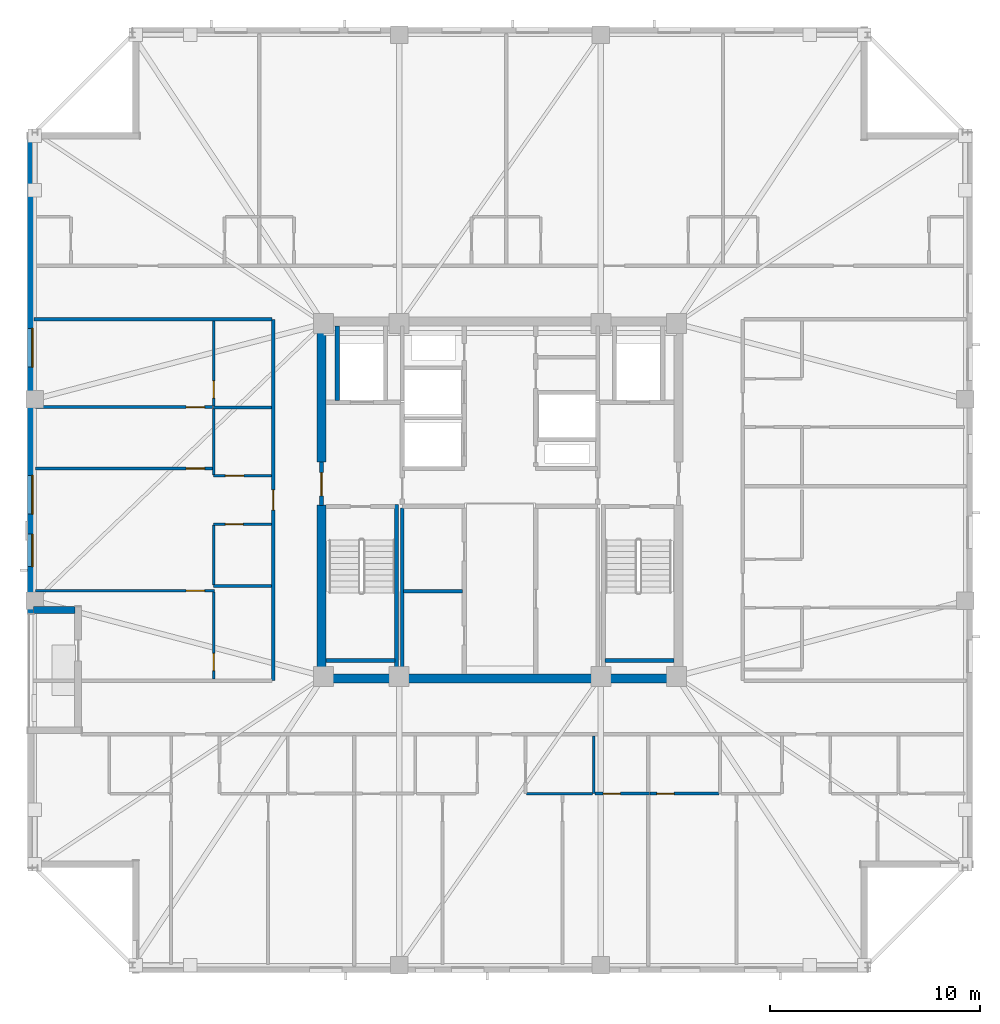
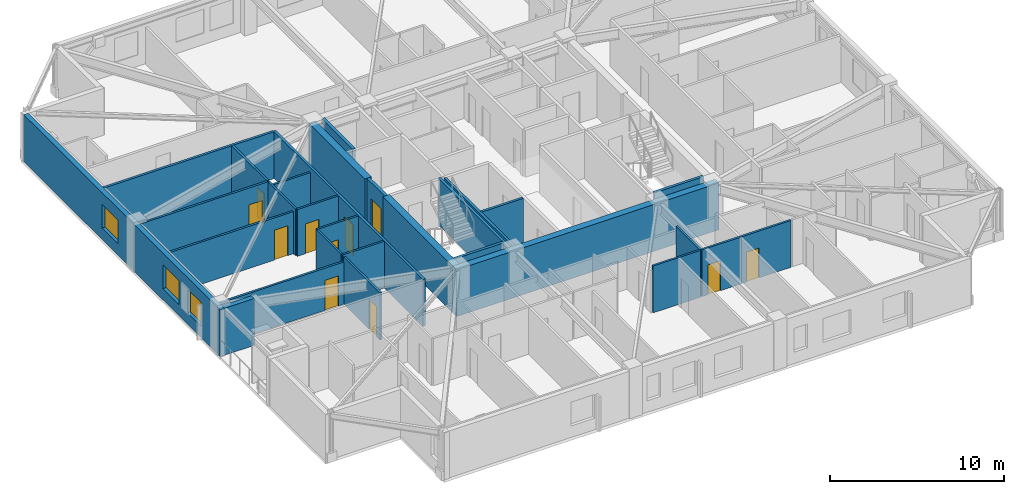
# One storey, part 8 of 16: 29 walls, 11 doors, 3 windows, 14 openings.
"""IFC4 building model written with IfcOpenShell, lengths in metres."""

from ifc_helpers import new_model, si_unit, direction, frame, frame_2d, origin, place, context, subcontext, project, spatial, rectangle, extrude, material, layer, layer_set, type_object, element, fill, save


model = new_model("IFC4")

# Units and contexts
model_context = context("Model", 3, precision=1e-05, world=origin(), true_north=direction((0.0, 1.0)))
body_context = subcontext(model_context, "Body", "Model", "MODEL_VIEW")
ifc_project = project(units=[si_unit("LENGTHUNIT", "METRE"), si_unit("AREAUNIT", "SQUARE_METRE"), si_unit("VOLUMEUNIT", "CUBIC_METRE"), si_unit("PLANEANGLEUNIT", "RADIAN"), si_unit("MASSUNIT", "GRAM", prefix="KILO")], contexts=[model_context])

# Site, building, storey
site_placement = place(None, origin())
site = spatial("IfcSite", under=ifc_project, at=site_placement, CompositionType="ELEMENT")
building_placement = place(site_placement, origin())
building = spatial("IfcBuilding", under=site, at=building_placement, Name="Cairnveth Concourse Tower", CompositionType="ELEMENT")
storey_placement = place(building_placement, frame((0.0, 0.0, 255.0)))
storey = spatial("IfcBuildingStorey", under=building, at=storey_placement, Name="L70", CompositionType="ELEMENT", Elevation=255.0)

# Walls
ifc_material_1 = material(Name="Gypsum Plasterboard Partition", Category="gypsum")
ifc_layer_1 = layer(ifc_material_1, 0.159912109375)
ifc_layer_set_1 = layer_set([ifc_layer_1], Name="Gypsum Plasterboard Partition")
wall_type_1 = type_object("IfcWallType", Name="ACOUSTIC PARTY WALL 180", PredefinedType="PARTITIONING", material=ifc_layer_set_1)
wall_1_placement = place(storey_placement, frame((47.35009765625, 30.7099609375, 0.0), z_axis=(0.0, 0.0, 1.0), x_axis=(0.0, 1.0, 0.0)))
element("IfcWall", 1, at=wall_1_placement, inside=storey, type_object=wall_type_1, Name="Interior Wall IW-L70-025", PredefinedType="PARTITIONING", context=body_context, shape_type="SweptSolid", body=[
    extrude(rectangle(XDim=7.905029296875, YDim=0.159912109375, at=frame_2d((3.95263671875, 0.0))), origin(), (0.0, 0.0, 1.0), 3.2900390625),
])
wall_2_placement = place(storey_placement, frame((47.4150390625, 34.64990234375, 0.0), z_axis=(0.0, 0.0, 1.0), x_axis=(1.0, 0.0, 0.0)))
element("IfcWall", 2, at=wall_2_placement, inside=storey, type_object=wall_type_1, Name="Interior Wall IW-L70-026", PredefinedType="PARTITIONING", context=body_context, shape_type="SweptSolid", body=[
    extrude(rectangle(XDim=2.800048828125, YDim=0.159912109375, at=frame_2d((1.39990234375, 0.0))), origin(), (0.0, 0.0, 1.0), 3.2900390625),
])

# Wall, opening, door
wall_3_placement = place(storey_placement, frame((41.199951171875, 30.39990234375, 0.0), z_axis=(0.0, 0.0, 1.0), x_axis=(0.0, 1.0, 0.0)))
wall_3 = element("IfcWall", 3, at=wall_3_placement, inside=storey, type_object=wall_type_1, Name="Interior Wall IW-L70-037", PredefinedType="PARTITIONING", context=body_context, shape_type="SweptSolid", body=[
    extrude(rectangle(XDim=17.2001953125, YDim=0.159912109375, at=frame_2d((8.60009765625, 0.0))), origin(), (0.0, 0.0, 1.0), 3.2900390625),
])
opening_1_placement = place(wall_3_placement, frame((8.1201171875, 0.0, 0.0)))
opening_1 = element("IfcOpeningElement", 4, at=opening_1_placement, cuts=wall_3, Name="Opening ID10", PredefinedType="OPENING", context=body_context, shape_type="SweptSolid", body=[
    extrude(rectangle(XDim=0.9599609375, YDim=2.179931640625, at=frame_2d((0.47998046875, 1.08984375))), frame((0.0, 0.08984375, 0.0), z_axis=(0.0, -1.0, 0.0), x_axis=(1.0, 0.0, 0.0)), (0.0, 0.0, 1.0), 0.179931640625),
])
ifc_material_2 = material(Name="Solid Core Hardwood Timber Leaf", Category="wood")
door_type_1 = type_object("IfcDoorType", Name="FLAT ENTRANCE DOOR 960X2150", OperationType="NOTDEFINED", PredefinedType="DOOR", material=ifc_material_2)
door_1_placement = place(opening_1_placement, origin())
door_1 = element("IfcDoor", 5, at=door_1_placement, inside=storey, type_object=door_type_1, Name="Apartment L70W1 Entrance Door", OperationType="SINGLE_SWING_LEFT", OverallHeight=2.179931640625, OverallWidth=0.9599609375, PredefinedType="DOOR", context=body_context, shape_type="SweptSolid", body=[
    extrude(rectangle(XDim=0.9599609375, YDim=2.179931640625, at=frame_2d((0.47998046875, 1.08984375))), frame((0.0, 0.02490234375, 0.0), z_axis=(0.0, -1.0, 0.0), x_axis=(1.0, 0.0, 0.0)), (0.0, 0.0, 1.0), 0.050048828125),
])
fill(opening_1, door_1)

# Walls
wall_4_placement = place(storey_placement, frame((29.804931640625, 47.60009765625, 0.0), z_axis=(0.0, 0.0, 1.0), x_axis=(1.0, 0.0, 0.0)))
element("IfcWall", 6, at=wall_4_placement, inside=storey, type_object=wall_type_1, Name="Interior Wall IW-L70-040", PredefinedType="PARTITIONING", context=body_context, shape_type="SweptSolid", body=[
    extrude(rectangle(XDim=11.330078125, YDim=0.159912109375, at=frame_2d((5.6650390625, 0.0))), origin(), (0.0, 0.0, 1.0), 3.2900390625),
])
ifc_material_3 = material(Name="Concrete N65 (65 MPa)", Category="concrete")
ifc_layer_2 = layer(ifc_material_3, 0.449951171875)
ifc_layer_set_2 = layer_set([ifc_layer_2], Name="Concrete N65 (65 MPa)")
wall_type_2 = type_object("IfcWallType", Name="CORE SHEAR WALL 450", PredefinedType="SHEAR", material=ifc_layer_set_2)
wall_5_placement = place(storey_placement, frame((43.27490234375, 30.5, 0.0), z_axis=(0.0, 0.0, 1.0), x_axis=(1.0, 0.0, 0.0)))
element("IfcWall", 7, at=wall_5_placement, inside=storey, type_object=wall_type_2, Name="Core South Shear Wall L70", PredefinedType="SHEAR", context=body_context, shape_type="SweptSolid", body=[
    extrude(rectangle(XDim=17.4501953125, YDim=0.449951171875, at=frame_2d((8.72509765625, 0.0))), origin(), (0.0, 0.0, 1.0), 3.2900390625),
])
wall_6_placement = place(storey_placement, frame((43.5, 30.715087890625, 0.0), z_axis=(0.0, 0.0, 1.0), x_axis=(0.0, 1.0, 0.0)))
element("IfcWall", 8, at=wall_6_placement, inside=storey, type_object=wall_type_2, Name="Core West Shear Wall S L70", PredefinedType="SHEAR", context=body_context, shape_type="SweptSolid", body=[
    extrude(rectangle(XDim=8.034912109375, YDim=0.449951171875, at=frame_2d((4.017578125, 0.0))), origin(), (0.0, 0.0, 1.0), 3.2900390625),
])
wall_7_placement = place(storey_placement, frame((43.5, 40.800048828125, 0.0), z_axis=(0.0, 0.0, 1.0), x_axis=(0.0, 1.0, 0.0)))
element("IfcWall", 9, at=wall_7_placement, inside=storey, type_object=wall_type_2, Name="Core West Shear Wall N L70", PredefinedType="SHEAR", context=body_context, shape_type="SweptSolid", body=[
    extrude(rectangle(XDim=6.48486328125, YDim=0.449951171875, at=frame_2d((3.242431640625, 0.0))), origin(), (0.0, 0.0, 1.0), 3.2900390625),
])
ifc_material_4 = material(Name="Concrete N50 (50 MPa)", Category="concrete")
ifc_layer_3 = layer(ifc_material_4, 0.179931640625)
ifc_layer_set_3 = layer_set([ifc_layer_3], Name="Concrete N50 (50 MPa)")
wall_type_3 = type_object("IfcWallType", Name="FIRE SHAFT WALL 180", PredefinedType="SOLIDWALL", material=ifc_layer_set_3)
wall_8_placement = place(storey_placement, frame((43.715087890625, 31.360107421875, 0.0), z_axis=(0.0, 0.0, 1.0), x_axis=(1.0, 0.0, 0.0)))
element("IfcWall", 10, at=wall_8_placement, inside=storey, type_object=wall_type_3, Name="Stair ST-1 Shaft Wall FAR L70", PredefinedType="SOLIDWALL", context=body_context, shape_type="SweptSolid", body=[
    extrude(rectangle(XDim=3.280029296875, YDim=0.179931640625, at=frame_2d((1.64013671875, 0.0))), origin(), (0.0, 0.0, 1.0), 3.2900390625),
])
wall_9_placement = place(storey_placement, frame((47.070068359375, 38.780029296875, 0.0), z_axis=(0.0, 0.0, 1.0), x_axis=(0.0, -1.0, 0.0)))
element("IfcWall", 11, at=wall_9_placement, inside=storey, type_object=wall_type_3, Name="Stair ST-1 Shaft Wall RGHT L70", PredefinedType="SOLIDWALL", context=body_context, shape_type="SweptSolid", body=[
    extrude(rectangle(XDim=8.067138671875, YDim=0.179931640625, at=frame_2d((4.03369140625, 0.0))), origin(), (0.0, 0.0, 1.0), 3.2900390625),
])
wall_10_placement = place(storey_placement, frame((57.0048828125, 31.360107421875, 0.0), z_axis=(0.0, 0.0, 1.0), x_axis=(1.0, 0.0, 0.0)))
element("IfcWall", 12, at=wall_10_placement, inside=storey, type_object=wall_type_3, Name="Stair ST-2 Shaft Wall FAR L70", PredefinedType="SOLIDWALL", context=body_context, shape_type="SweptSolid", body=[
    extrude(rectangle(XDim=3.280029296875, YDim=0.179931640625, at=frame_2d((1.64013671875, 0.0))), origin(), (0.0, 0.0, 1.0), 3.2900390625),
])

# Wall, opening, door
ifc_layer_4 = layer(ifc_material_4, 0.199951171875)
ifc_layer_set_4 = layer_set([ifc_layer_4], Name="Concrete N50 (50 MPa)")
wall_type_4 = type_object("IfcWallType", Name="FIRE SHAFT WALL 200", PredefinedType="SOLIDWALL", material=ifc_layer_set_4)
wall_11_placement = place(storey_placement, frame((43.5, 38.75, 0.0), z_axis=(0.0, 0.0, 1.0), x_axis=(0.0, 1.0, 0.0)))
wall_11 = element("IfcWall", 13, at=wall_11_placement, inside=storey, type_object=wall_type_4, Name="Interior Wall IW-L70-015", PredefinedType="SOLIDWALL", context=body_context, shape_type="SweptSolid", body=[
    extrude(rectangle(XDim=2.050048828125, YDim=0.199951171875, at=frame_2d((1.02490234375, 0.0))), origin(), (0.0, 0.0, 1.0), 3.2900390625),
])
opening_2_placement = place(wall_11_placement, frame((0.449951171875, 0.0, 0.0)))
opening_2 = element("IfcOpeningElement", 14, at=opening_2_placement, cuts=wall_11, Name="Opening ID06", PredefinedType="OPENING", context=body_context, shape_type="SweptSolid", body=[
    extrude(rectangle(XDim=1.10009765625, YDim=2.14990234375, at=frame_2d((0.550048828125, 1.074951171875))), frame((0.0, 0.10986328125, 0.0), z_axis=(0.0, -1.0, 0.0), x_axis=(1.0, 0.0, 0.0)), (0.0, 0.0, 1.0), 0.219970703125),
])
ifc_material_5 = material(Name="Steel Grade 350", Category="steel")
door_type_2 = type_object("IfcDoorType", Name="FIRE CORRIDOR DOOR 1100X2150", OperationType="NOTDEFINED", PredefinedType="DOOR", material=ifc_material_5)
door_2_placement = place(opening_2_placement, origin())
door_2 = element("IfcDoor", 15, at=door_2_placement, inside=storey, type_object=door_type_2, Name="West Wing to FF Lobby Door L70", OperationType="SINGLE_SWING_LEFT", OverallHeight=2.14990234375, OverallWidth=1.10009765625, PredefinedType="DOOR", context=body_context, shape_type="SweptSolid", body=[
    extrude(rectangle(XDim=1.10009765625, YDim=2.14990234375, at=frame_2d((0.550048828125, 1.074951171875))), frame((0.0, 0.02490234375, 0.0), z_axis=(0.0, -1.0, 0.0), x_axis=(1.0, 0.0, 0.0)), (0.0, 0.0, 1.0), 0.050048828125),
])
fill(opening_2, door_2)

# Wall
wall_12_placement = place(storey_placement, frame((44.25, 43.735107421875, 0.0), z_axis=(0.0, 0.0, 1.0), x_axis=(0.0, 1.0, 0.0)))
element("IfcWall", 16, at=wall_12_placement, inside=storey, type_object=wall_type_4, Name="Interior Wall IW-L70-019", PredefinedType="SOLIDWALL", context=body_context, shape_type="SweptSolid", body=[
    extrude(rectangle(XDim=3.554931640625, YDim=0.199951171875, at=frame_2d((1.77734375, 0.0))), origin(), (0.0, 0.0, 1.0), 3.2900390625),
])

# Wall, opening, door
ifc_layer_5 = layer(ifc_material_1, 0.139892578125)
ifc_layer_set_5 = layer_set([ifc_layer_5], Name="Gypsum Plasterboard Partition")
wall_type_5 = type_object("IfcWallType", Name="GYPSUM STUD PARTITION 140", PredefinedType="PARTITIONING", material=ifc_layer_set_5)
wall_13_placement = place(storey_placement, frame((56.514892578125, 25.017578125, 0.0), z_axis=(0.0, 0.0, 1.0), x_axis=(1.0, 0.0, 0.0)))
wall_13 = element("IfcWall", 17, at=wall_13_placement, inside=storey, type_object=wall_type_5, Name="Interior Wall IW-L70-062", PredefinedType="PARTITIONING", context=body_context, shape_type="SweptSolid", body=[
    extrude(rectangle(XDim=2.6025390625, YDim=0.139892578125, at=frame_2d((1.30126953125, 0.0))), origin(), (0.0, 0.0, 1.0), 3.2900390625),
])
opening_3_placement = place(wall_13_placement, frame((0.39990234375, 0.0, 0.0)))
opening_3 = element("IfcOpeningElement", 18, at=opening_3_placement, cuts=wall_13, Name="Opening ID22", PredefinedType="OPENING", context=body_context, shape_type="SweptSolid", body=[
    extrude(rectangle(XDim=0.820068359375, YDim=2.10009765625, at=frame_2d((0.41015625, 1.050048828125))), frame((0.0, 0.079833984375, 0.0), z_axis=(0.0, -1.0, 0.0), x_axis=(1.0, 0.0, 0.0)), (0.0, 0.0, 1.0), 0.159912109375),
])
door_type_3 = type_object("IfcDoorType", Name="INTERIOR WC DOOR 820X2100", OperationType="NOTDEFINED", PredefinedType="DOOR", material=ifc_material_2)
door_3_placement = place(opening_3_placement, origin())
door_3 = element("IfcDoor", 19, at=door_3_placement, inside=storey, type_object=door_type_3, Name="L70S2 Utility Door", OperationType="SINGLE_SWING_RIGHT", OverallHeight=2.10009765625, OverallWidth=0.820068359375, PredefinedType="DOOR", context=body_context, shape_type="SweptSolid", body=[
    extrude(rectangle(XDim=0.820068359375, YDim=2.10009765625, at=frame_2d((0.41015625, 1.050048828125))), frame((0.0, 0.02490234375, 0.0), z_axis=(0.0, -1.0, 0.0), x_axis=(1.0, 0.0, 0.0)), (0.0, 0.0, 1.0), 0.050048828125),
])
fill(opening_3, door_3)

wall_14_placement = place(storey_placement, frame((59.132568359375, 25.017578125, 0.0), z_axis=(0.0, 0.0, 1.0), x_axis=(1.0, 0.0, 0.0)))
wall_14 = element("IfcWall", 20, at=wall_14_placement, inside=storey, type_object=wall_type_5, Name="Interior Wall IW-L70-071", PredefinedType="PARTITIONING", context=body_context, shape_type="SweptSolid", body=[
    extrude(rectangle(XDim=3.291015625, YDim=0.139892578125, at=frame_2d((1.6455078125, 0.0))), origin(), (0.0, 0.0, 1.0), 3.2900390625),
])
opening_4_placement = place(wall_14_placement, frame((0.3349609375, 0.0, 0.0)))
opening_4 = element("IfcOpeningElement", 21, at=opening_4_placement, cuts=wall_14, Name="Opening ID22", PredefinedType="OPENING", context=body_context, shape_type="SweptSolid", body=[
    extrude(rectangle(XDim=0.820068359375, YDim=2.10009765625, at=frame_2d((0.41015625, 1.050048828125))), frame((0.0, 0.079833984375, 0.0), z_axis=(0.0, -1.0, 0.0), x_axis=(1.0, 0.0, 0.0)), (0.0, 0.0, 1.0), 0.159912109375),
])
door_4_placement = place(opening_4_placement, origin())
door_4 = element("IfcDoor", 22, at=door_4_placement, inside=storey, type_object=door_type_3, Name="L70S3 Dressing Door", OperationType="SINGLE_SWING_LEFT", OverallHeight=2.10009765625, OverallWidth=0.820068359375, PredefinedType="DOOR", context=body_context, shape_type="SweptSolid", body=[
    extrude(rectangle(XDim=0.820068359375, YDim=2.10009765625, at=frame_2d((0.41015625, 1.050048828125))), frame((0.0, 0.02490234375, 0.0), z_axis=(0.0, -1.0, 0.0), x_axis=(1.0, 0.0, 0.0)), (0.0, 0.0, 1.0), 0.050048828125),
])
fill(opening_4, door_4)

wall_15_placement = place(storey_placement, frame((29.8798828125, 34.679931640625, 0.0), z_axis=(0.0, 0.0, 1.0), x_axis=(1.0, 0.0, 0.0)))
wall_15 = element("IfcWall", 23, at=wall_15_placement, inside=storey, type_object=wall_type_5, Name="Interior Wall IW-L70-099", PredefinedType="PARTITIONING", context=body_context, shape_type="SweptSolid", body=[
    extrude(rectangle(XDim=8.530029296875, YDim=0.139892578125, at=frame_2d((4.26513671875, 0.0))), origin(), (0.0, 0.0, 1.0), 2.9580078125),
])
opening_5_placement = place(wall_15_placement, frame((7.179931640625, 0.0, 0.0)))
opening_5 = element("IfcOpeningElement", 24, at=opening_5_placement, cuts=wall_15, Name="Opening ID18", PredefinedType="OPENING", context=body_context, shape_type="SweptSolid", body=[
    extrude(rectangle(XDim=0.8798828125, YDim=2.10009765625, at=frame_2d((0.43994140625, 1.050048828125))), frame((0.0, 0.079833984375, 0.0), z_axis=(0.0, -1.0, 0.0), x_axis=(1.0, 0.0, 0.0)), (0.0, 0.0, 1.0), 0.159912109375),
])
door_type_4 = type_object("IfcDoorType", Name="INTERIOR SINGLE DOOR 880X2100", OperationType="NOTDEFINED", PredefinedType="DOOR", material=ifc_material_2)
door_5_placement = place(opening_5_placement, origin())
door_5 = element("IfcDoor", 25, at=door_5_placement, inside=storey, type_object=door_type_4, Name="L70W1 Master Bedroom Door", OperationType="SINGLE_SWING_LEFT", OverallHeight=2.10009765625, OverallWidth=0.8798828125, PredefinedType="DOOR", context=body_context, shape_type="SweptSolid", body=[
    extrude(rectangle(XDim=0.8798828125, YDim=2.10009765625, at=frame_2d((0.43994140625, 1.050048828125))), frame((0.0, 0.02490234375, 0.0), z_axis=(0.0, -1.0, 0.0), x_axis=(1.0, 0.0, 0.0)), (0.0, 0.0, 1.0), 0.050048828125),
])
fill(opening_5, door_5)

wall_16_placement = place(storey_placement, frame((38.3701171875, 30.465087890625, 0.0), z_axis=(0.0, 0.0, 1.0), x_axis=(0.0, 1.0, 0.0)))
wall_16 = element("IfcWall", 26, at=wall_16_placement, inside=storey, type_object=wall_type_5, Name="Interior Wall IW-L70-100", PredefinedType="PARTITIONING", context=body_context, shape_type="SweptSolid", body=[
    extrude(rectangle(XDim=4.159912109375, YDim=0.139892578125, at=frame_2d((2.080078125, 0.0))), origin(), (0.0, 0.0, 1.0), 3.2900390625),
])
opening_6_placement = place(wall_16_placement, frame((0.4150390625, 0.0, 0.0)))
opening_6 = element("IfcOpeningElement", 27, at=opening_6_placement, cuts=wall_16, Name="Opening ID22", PredefinedType="OPENING", context=body_context, shape_type="SweptSolid", body=[
    extrude(rectangle(XDim=0.820068359375, YDim=2.10009765625, at=frame_2d((0.41015625, 1.050048828125))), frame((0.0, 0.079833984375, 0.0), z_axis=(0.0, -1.0, 0.0), x_axis=(1.0, 0.0, 0.0)), (0.0, 0.0, 1.0), 0.159912109375),
])
door_6_placement = place(opening_6_placement, origin())
door_6 = element("IfcDoor", 28, at=door_6_placement, inside=storey, type_object=door_type_3, Name="L70W1 Dressing Door", OperationType="SINGLE_SWING_RIGHT", OverallHeight=2.10009765625, OverallWidth=0.820068359375, PredefinedType="DOOR", context=body_context, shape_type="SweptSolid", body=[
    extrude(rectangle(XDim=0.820068359375, YDim=2.10009765625, at=frame_2d((0.41015625, 1.050048828125))), frame((0.0, 0.02490234375, 0.0), z_axis=(0.0, -1.0, 0.0), x_axis=(1.0, 0.0, 0.0)), (0.0, 0.0, 1.0), 0.050048828125),
])
fill(opening_6, door_6)

wall_17_placement = place(storey_placement, frame((29.8798828125, 43.419921875, 0.0), z_axis=(0.0, 0.0, 1.0), x_axis=(1.0, 0.0, 0.0)))
wall_17 = element("IfcWall", 29, at=wall_17_placement, inside=storey, type_object=wall_type_5, Name="Interior Wall IW-L70-101", PredefinedType="PARTITIONING", context=body_context, shape_type="SweptSolid", body=[
    extrude(rectangle(XDim=8.440185546875, YDim=0.139892578125, at=frame_2d((4.22021484375, 0.0))), origin(), (0.0, 0.0, 1.0), 3.2900390625),
])
opening_7_placement = place(wall_17_placement, frame((7.179931640625, 0.0, 0.0)))
opening_7 = element("IfcOpeningElement", 30, at=opening_7_placement, cuts=wall_17, Name="Opening ID18", PredefinedType="OPENING", context=body_context, shape_type="SweptSolid", body=[
    extrude(rectangle(XDim=0.8798828125, YDim=2.10009765625, at=frame_2d((0.43994140625, 1.050048828125))), frame((0.0, 0.079833984375, 0.0), z_axis=(0.0, -1.0, 0.0), x_axis=(1.0, 0.0, 0.0)), (0.0, 0.0, 1.0), 0.159912109375),
])
door_7_placement = place(opening_7_placement, origin())
door_7 = element("IfcDoor", 31, at=door_7_placement, inside=storey, type_object=door_type_4, Name="L70W1 Bedroom 2 Door", OperationType="SINGLE_SWING_LEFT", OverallHeight=2.10009765625, OverallWidth=0.8798828125, PredefinedType="DOOR", context=body_context, shape_type="SweptSolid", body=[
    extrude(rectangle(XDim=0.8798828125, YDim=2.10009765625, at=frame_2d((0.43994140625, 1.050048828125))), frame((0.0, 0.02490234375, 0.0), z_axis=(0.0, -1.0, 0.0), x_axis=(1.0, 0.0, 0.0)), (0.0, 0.0, 1.0), 0.050048828125),
])
fill(opening_7, door_7)

wall_18_placement = place(storey_placement, frame((38.3701171875, 43.47509765625, 0.0), z_axis=(0.0, 0.0, 1.0), x_axis=(0.0, 1.0, 0.0)))
wall_18 = element("IfcWall", 32, at=wall_18_placement, inside=storey, type_object=wall_type_5, Name="Interior Wall IW-L70-102", PredefinedType="PARTITIONING", context=body_context, shape_type="SweptSolid", body=[
    extrude(rectangle(XDim=4.059814453125, YDim=0.139892578125, at=frame_2d((2.02978515625, 0.0))), origin(), (0.0, 0.0, 1.0), 3.2900390625),
])
opening_8_placement = place(wall_18_placement, frame((0.375, 0.0, 0.0)))
opening_8 = element("IfcOpeningElement", 33, at=opening_8_placement, cuts=wall_18, Name="Opening ID22", PredefinedType="OPENING", context=body_context, shape_type="SweptSolid", body=[
    extrude(rectangle(XDim=0.820068359375, YDim=2.10009765625, at=frame_2d((0.41015625, 1.050048828125))), frame((0.0, 0.079833984375, 0.0), z_axis=(0.0, -1.0, 0.0), x_axis=(1.0, 0.0, 0.0)), (0.0, 0.0, 1.0), 0.159912109375),
])
door_8_placement = place(opening_8_placement, origin())
door_8 = element("IfcDoor", 34, at=door_8_placement, inside=storey, type_object=door_type_3, Name="L70W1 Utility Door", OperationType="SINGLE_SWING_RIGHT", OverallHeight=2.10009765625, OverallWidth=0.820068359375, PredefinedType="DOOR", context=body_context, shape_type="SweptSolid", body=[
    extrude(rectangle(XDim=0.820068359375, YDim=2.10009765625, at=frame_2d((0.41015625, 1.050048828125))), frame((0.0, 0.02490234375, 0.0), z_axis=(0.0, -1.0, 0.0), x_axis=(1.0, 0.0, 0.0)), (0.0, 0.0, 1.0), 0.050048828125),
])
fill(opening_8, door_8)

wall_19_placement = place(storey_placement, frame((29.8798828125, 40.5, 0.0), z_axis=(0.0, 0.0, 1.0), x_axis=(1.0, 0.0, 0.0)))
wall_19 = element("IfcWall", 35, at=wall_19_placement, inside=storey, type_object=wall_type_5, Name="Interior Wall IW-L70-103", PredefinedType="PARTITIONING", context=body_context, shape_type="SweptSolid", body=[
    extrude(rectangle(XDim=8.440185546875, YDim=0.139892578125, at=frame_2d((4.22021484375, 0.0))), origin(), (0.0, 0.0, 1.0), 2.9580078125),
])
opening_9_placement = place(wall_19_placement, frame((7.179931640625, 0.0, 0.0)))
opening_9 = element("IfcOpeningElement", 36, at=opening_9_placement, cuts=wall_19, Name="Opening ID18", PredefinedType="OPENING", context=body_context, shape_type="SweptSolid", body=[
    extrude(rectangle(XDim=0.8798828125, YDim=2.10009765625, at=frame_2d((0.43994140625, 1.050048828125))), frame((0.0, 0.079833984375, 0.0), z_axis=(0.0, -1.0, 0.0), x_axis=(1.0, 0.0, 0.0)), (0.0, 0.0, 1.0), 0.159912109375),
])
door_9_placement = place(opening_9_placement, origin())
door_9 = element("IfcDoor", 37, at=door_9_placement, inside=storey, type_object=door_type_4, Name="L70W1 Media Lounge Door", OperationType="SINGLE_SWING_RIGHT", OverallHeight=2.10009765625, OverallWidth=0.8798828125, PredefinedType="DOOR", context=body_context, shape_type="SweptSolid", body=[
    extrude(rectangle(XDim=0.8798828125, YDim=2.10009765625, at=frame_2d((0.43994140625, 1.050048828125))), frame((0.0, 0.02490234375, 0.0), z_axis=(0.0, -1.0, 0.0), x_axis=(1.0, 0.0, 0.0)), (0.0, 0.0, 1.0), 0.050048828125),
])
fill(opening_9, door_9)

# Walls
ifc_layer_6 = layer(ifc_material_1, 0.1298828125)
ifc_layer_set_6 = layer_set([ifc_layer_6], Name="Gypsum Plasterboard Partition")
wall_type_6 = type_object("IfcWallType", Name="WET AREA PARTITION 140", PredefinedType="PLUMBINGWALL", material=ifc_layer_set_6)
wall_20_placement = place(storey_placement, frame((56.465087890625, 25.017578125, 0.0), z_axis=(0.0, 0.0, 1.0), x_axis=(0.0, 1.0, 0.0)))
element("IfcWall", 38, at=wall_20_placement, inside=storey, type_object=wall_type_6, Name="Interior Wall IW-L70-056", PredefinedType="PLUMBINGWALL", context=body_context, shape_type="SweptSolid", body=[
    extrude(rectangle(XDim=2.75, YDim=0.1298828125, at=frame_2d((1.375, 0.0))), origin(), (0.0, 0.0, 1.0), 3.2900390625),
])
wall_21_placement = place(storey_placement, frame((53.264892578125, 25.017578125, 0.0), z_axis=(0.0, 0.0, 1.0), x_axis=(1.0, 0.0, 0.0)))
element("IfcWall", 39, at=wall_21_placement, inside=storey, type_object=wall_type_6, Name="Interior Wall IW-L70-058", PredefinedType="PLUMBINGWALL", context=body_context, shape_type="SweptSolid", body=[
    extrude(rectangle(XDim=3.150146484375, YDim=0.1298828125, at=frame_2d((1.5751953125, 0.0))), origin(), (0.0, 0.0, 1.0), 3.2900390625),
])
wall_22_placement = place(storey_placement, frame((38.3701171875, 34.89990234375, 0.0), z_axis=(0.0, 0.0, 1.0), x_axis=(1.0, 0.0, 0.0)))
element("IfcWall", 40, at=wall_22_placement, inside=storey, type_object=wall_type_6, Name="Interior Wall IW-L70-093", PredefinedType="PLUMBINGWALL", context=body_context, shape_type="SweptSolid", body=[
    extrude(rectangle(XDim=2.75, YDim=0.1298828125, at=frame_2d((1.375, 0.0))), origin(), (0.0, 0.0, 1.0), 3.2900390625),
])

# Wall, opening, door
wall_23_placement = place(storey_placement, frame((38.3701171875, 37.85009765625, 0.0), z_axis=(0.0, 0.0, 1.0), x_axis=(1.0, 0.0, 0.0)))
wall_23 = element("IfcWall", 41, at=wall_23_placement, inside=storey, type_object=wall_type_6, Name="Interior Wall IW-L70-094", PredefinedType="PLUMBINGWALL", context=body_context, shape_type="SweptSolid", body=[
    extrude(rectangle(XDim=2.75, YDim=0.1298828125, at=frame_2d((1.375, 0.0))), origin(), (0.0, 0.0, 1.0), 3.2900390625),
])
opening_10_placement = place(wall_23_placement, frame((0.550048828125, 0.0, 0.0)))
opening_10 = element("IfcOpeningElement", 42, at=opening_10_placement, cuts=wall_23, Name="Opening ID21", PredefinedType="OPENING", context=body_context, shape_type="SweptSolid", body=[
    extrude(rectangle(XDim=0.85009765625, YDim=2.080078125, at=frame_2d((0.425048828125, 1.0400390625))), frame((0.0, 0.074951171875, 0.0), z_axis=(0.0, -1.0, 0.0), x_axis=(1.0, 0.0, 0.0)), (0.0, 0.0, 1.0), 0.14990234375),
])
door_type_5 = type_object("IfcDoorType", Name="INTERIOR WC DOOR 850X2100", OperationType="NOTDEFINED", PredefinedType="DOOR", material=ifc_material_2)
door_10_placement = place(opening_10_placement, origin())
door_10 = element("IfcDoor", 43, at=door_10_placement, inside=storey, type_object=door_type_5, Name="L70W1 Bathroom Door", OperationType="SINGLE_SWING_RIGHT", OverallHeight=2.080078125, OverallWidth=0.85009765625, PredefinedType="DOOR", context=body_context, shape_type="SweptSolid", body=[
    extrude(rectangle(XDim=0.85009765625, YDim=2.080078125, at=frame_2d((0.425048828125, 1.0400390625))), frame((0.0, 0.02490234375, 0.0), z_axis=(0.0, -1.0, 0.0), x_axis=(1.0, 0.0, 0.0)), (0.0, 0.0, 1.0), 0.050048828125),
])
fill(opening_10, door_10)

# Walls
wall_24_placement = place(storey_placement, frame((38.3701171875, 34.949951171875, 0.0), z_axis=(0.0, 0.0, 1.0), x_axis=(0.0, 1.0, 0.0)))
element("IfcWall", 44, at=wall_24_placement, inside=storey, type_object=wall_type_6, Name="Interior Wall IW-L70-095", PredefinedType="PLUMBINGWALL", context=body_context, shape_type="SweptSolid", body=[
    extrude(rectangle(XDim=2.85009765625, YDim=0.1298828125, at=frame_2d((1.425048828125, 0.0))), origin(), (0.0, 0.0, 1.0), 3.2900390625),
])
wall_25_placement = place(storey_placement, frame((38.3701171875, 43.39990234375, 0.0), z_axis=(0.0, 0.0, 1.0), x_axis=(1.0, 0.0, 0.0)))
element("IfcWall", 45, at=wall_25_placement, inside=storey, type_object=wall_type_6, Name="Interior Wall IW-L70-096", PredefinedType="PLUMBINGWALL", context=body_context, shape_type="SweptSolid", body=[
    extrude(rectangle(XDim=2.75, YDim=0.1298828125, at=frame_2d((1.375, 0.0))), origin(), (0.0, 0.0, 1.0), 2.9580078125),
])

# Wall, opening, door
wall_26_placement = place(storey_placement, frame((38.3701171875, 40.14990234375, 0.0), z_axis=(0.0, 0.0, 1.0), x_axis=(1.0, 0.0, 0.0)))
wall_26 = element("IfcWall", 46, at=wall_26_placement, inside=storey, type_object=wall_type_6, Name="Interior Wall IW-L70-097", PredefinedType="PLUMBINGWALL", context=body_context, shape_type="SweptSolid", body=[
    extrude(rectangle(XDim=2.75, YDim=0.1298828125, at=frame_2d((1.375, 0.0))), origin(), (0.0, 0.0, 1.0), 3.2900390625),
])
opening_11_placement = place(wall_26_placement, frame((0.550048828125, 0.0, 0.0)))
opening_11 = element("IfcOpeningElement", 47, at=opening_11_placement, cuts=wall_26, Name="Opening ID18", PredefinedType="OPENING", context=body_context, shape_type="SweptSolid", body=[
    extrude(rectangle(XDim=0.8798828125, YDim=2.10009765625, at=frame_2d((0.43994140625, 1.050048828125))), frame((0.0, 0.074951171875, 0.0), z_axis=(0.0, -1.0, 0.0), x_axis=(1.0, 0.0, 0.0)), (0.0, 0.0, 1.0), 0.14990234375),
])
door_11_placement = place(opening_11_placement, origin())
door_11 = element("IfcDoor", 48, at=door_11_placement, inside=storey, type_object=door_type_4, Name="L70W1 Kitchen Door", OperationType="SINGLE_SWING_LEFT", OverallHeight=2.10009765625, OverallWidth=0.8798828125, PredefinedType="DOOR", context=body_context, shape_type="SweptSolid", body=[
    extrude(rectangle(XDim=0.8798828125, YDim=2.10009765625, at=frame_2d((0.43994140625, 1.050048828125))), frame((0.0, 0.02490234375, 0.0), z_axis=(0.0, -1.0, 0.0), x_axis=(1.0, 0.0, 0.0)), (0.0, 0.0, 1.0), 0.050048828125),
])
fill(opening_11, door_11)

# Wall
wall_27_placement = place(storey_placement, frame((38.3701171875, 40.199951171875, 0.0), z_axis=(0.0, 0.0, 1.0), x_axis=(0.0, 1.0, 0.0)))
element("IfcWall", 49, at=wall_27_placement, inside=storey, type_object=wall_type_6, Name="Interior Wall IW-L70-098", PredefinedType="PLUMBINGWALL", context=body_context, shape_type="SweptSolid", body=[
    extrude(rectangle(XDim=3.150146484375, YDim=0.1298828125, at=frame_2d((1.5751953125, 0.0))), origin(), (0.0, 0.0, 1.0), 3.2900390625),
])

# Wall, openings, windows
ifc_material_6 = material(Name="Melbourne Buff Fired Clay Brick Masonry", Category="masonry")
ifc_layer_7 = layer(ifc_material_6, 0.320068359375)
ifc_layer_set_7 = layer_set([ifc_layer_7], Name="Melbourne Buff Fired Clay Brick Masonry")
wall_type_7 = type_object("IfcWallType", Name="ZONE 3 BRICK PIER SPANDREL WALL 320", PredefinedType="SOLIDWALL", material=ifc_layer_set_7)
wall_28_placement = place(storey_placement, frame((29.659912109375, 33.60009765625, 0.0), z_axis=(0.0, 0.0, 1.0), x_axis=(0.0, 1.0, 0.0)))
wall_28 = element("IfcWall", 50, at=wall_28_placement, inside=storey, type_object=wall_type_7, Name="Exterior Wall EW-L70-S00", PredefinedType="SOLIDWALL", context=body_context, shape_type="SweptSolid", body=[
    extrude(rectangle(XDim=22.601806640625, YDim=0.320068359375, at=frame_2d((11.30078125, 0.0))), origin(), (0.0, 0.0, 1.0), 3.2900390625),
])
opening_12_placement = place(wall_28_placement, frame((2.22509765625, 0.0, 0.800048828125)))
opening_12 = element("IfcOpeningElement", 51, at=opening_12_placement, cuts=wall_28, Name="Opening W07", PredefinedType="OPENING", context=body_context, shape_type="SweptSolid", body=[
    extrude(rectangle(XDim=1.550048828125, YDim=1.677978515625, at=frame_2d((0.77490234375, 0.8388671875))), frame((0.0, 0.169921875, 0.0), z_axis=(0.0, -1.0, 0.0), x_axis=(1.0, 0.0, 0.0)), (0.0, 0.0, 1.0), 0.340087890625),
])
opening_13_placement = place(wall_28_placement, frame((4.7255859375, 0.0, 0.800048828125)))
opening_13 = element("IfcOpeningElement", 52, at=opening_13_placement, cuts=wall_28, Name="Opening W08", PredefinedType="OPENING", context=body_context, shape_type="SweptSolid", body=[
    extrude(rectangle(XDim=1.85009765625, YDim=1.677978515625, at=frame_2d((0.925048828125, 0.8388671875))), frame((0.0, 0.169921875, 0.0), z_axis=(0.0, -1.0, 0.0), x_axis=(1.0, 0.0, 0.0)), (0.0, 0.0, 1.0), 0.340087890625),
])
opening_14_placement = place(wall_28_placement, frame((11.726318359375, 0.0, 0.800048828125)))
opening_14 = element("IfcOpeningElement", 53, at=opening_14_placement, cuts=wall_28, Name="Opening W08", PredefinedType="OPENING", context=body_context, shape_type="SweptSolid", body=[
    extrude(rectangle(XDim=1.85009765625, YDim=1.677978515625, at=frame_2d((0.925048828125, 0.8388671875))), frame((0.0, 0.169921875, 0.0), z_axis=(0.0, -1.0, 0.0), x_axis=(1.0, 0.0, 0.0)), (0.0, 0.0, 1.0), 0.340087890625),
])
ifc_material_7 = material(Name="Double Glazed Low-E Clear Glass", Category="glass")
window_type_1 = type_object("IfcWindowType", Name="DEEP-SET APARTMENT LIVING WINDOW 1850X1850", PartitioningType="DOUBLE_PANEL_VERTICAL", PredefinedType="WINDOW", material=ifc_material_7)
window_1_placement = place(opening_13_placement, origin())
window_1 = element("IfcWindow", 54, at=window_1_placement, inside=storey, type_object=window_type_1, Name="Gothic Lancet Window L70-0-2", OverallHeight=1.677978515625, OverallWidth=1.85009765625, PartitioningType="SINGLE_PANEL", PredefinedType="WINDOW", context=body_context, shape_type="SweptSolid", body=[
    extrude(rectangle(XDim=1.85009765625, YDim=1.677978515625, at=frame_2d((0.925048828125, 0.8388671875))), frame((0.0, -0.050048828125, 0.0), z_axis=(0.0, -1.0, 0.0), x_axis=(1.0, 0.0, 0.0)), (0.0, 0.0, 1.0), 0.06005859375),
])
fill(opening_13, window_1)
window_2_placement = place(opening_14_placement, origin())
window_2 = element("IfcWindow", 55, at=window_2_placement, inside=storey, type_object=window_type_1, Name="Gothic Lancet Window L70-0-4", OverallHeight=1.677978515625, OverallWidth=1.85009765625, PartitioningType="SINGLE_PANEL", PredefinedType="WINDOW", context=body_context, shape_type="SweptSolid", body=[
    extrude(rectangle(XDim=1.85009765625, YDim=1.677978515625, at=frame_2d((0.925048828125, 0.8388671875))), frame((0.0, -0.050048828125, 0.0), z_axis=(0.0, -1.0, 0.0), x_axis=(1.0, 0.0, 0.0)), (0.0, 0.0, 1.0), 0.06005859375),
])
fill(opening_14, window_2)
window_type_2 = type_object("IfcWindowType", Name="DEEP-SET APARTMENT WINDOW 1550X1800", PartitioningType="DOUBLE_PANEL_VERTICAL", PredefinedType="WINDOW", material=ifc_material_7)
window_3_placement = place(opening_12_placement, origin())
window_3 = element("IfcWindow", 56, at=window_3_placement, inside=storey, type_object=window_type_2, Name="Gothic Lancet Window L70-0-1", OverallHeight=1.677978515625, OverallWidth=1.550048828125, PartitioningType="SINGLE_PANEL", PredefinedType="WINDOW", context=body_context, shape_type="SweptSolid", body=[
    extrude(rectangle(XDim=1.550048828125, YDim=1.677978515625, at=frame_2d((0.77490234375, 0.8388671875))), frame((0.0, -0.050048828125, 0.0), z_axis=(0.0, -1.0, 0.0), x_axis=(1.0, 0.0, 0.0)), (0.0, 0.0, 1.0), 0.06005859375),
])
fill(opening_12, window_3)

# Wall
wall_29_placement = place(storey_placement, frame((31.77197265625, 33.760009765625, 0.0), z_axis=(0.0, 0.0, 1.0), x_axis=(-1.0, 0.0, 0.0)))
element("IfcWall", 57, at=wall_29_placement, inside=storey, type_object=wall_type_7, Name="Exterior Wall EW-L70-S15", PredefinedType="SOLIDWALL", context=body_context, shape_type="SweptSolid", body=[
    extrude(rectangle(XDim=1.973876953125, YDim=0.320068359375, at=frame_2d((0.98681640625, 0.0))), origin(), (0.0, 0.0, 1.0), 3.2900390625),
])

save(model, "model.ifc")
